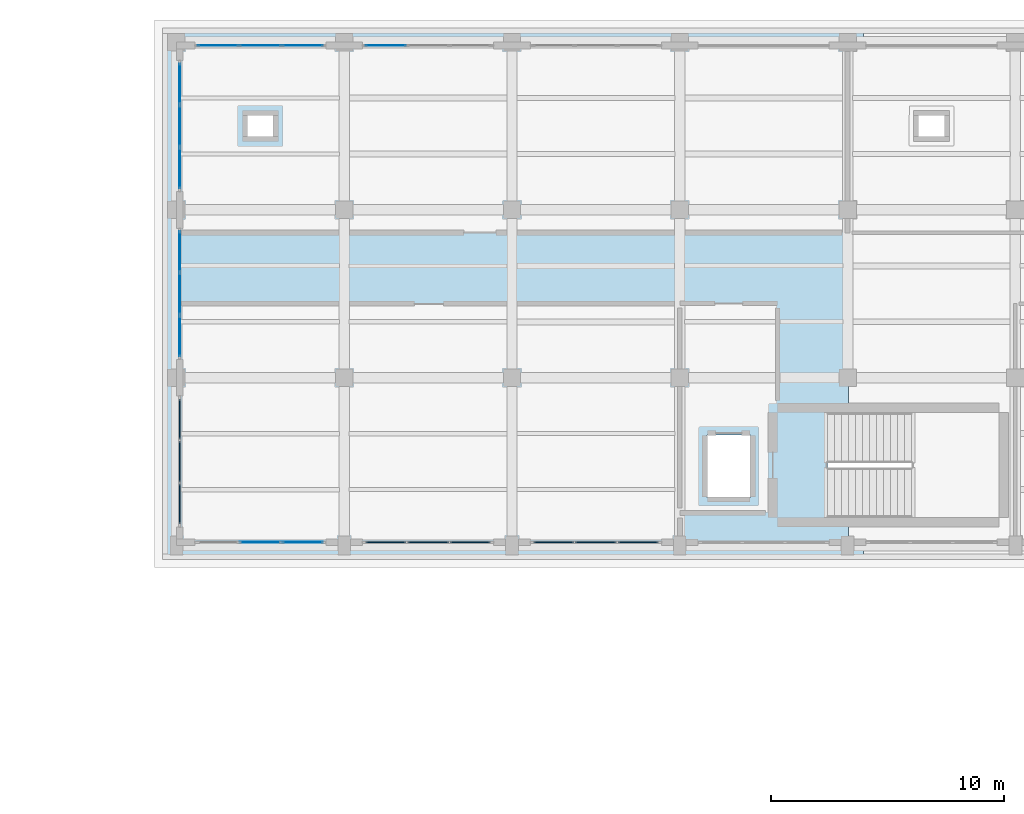
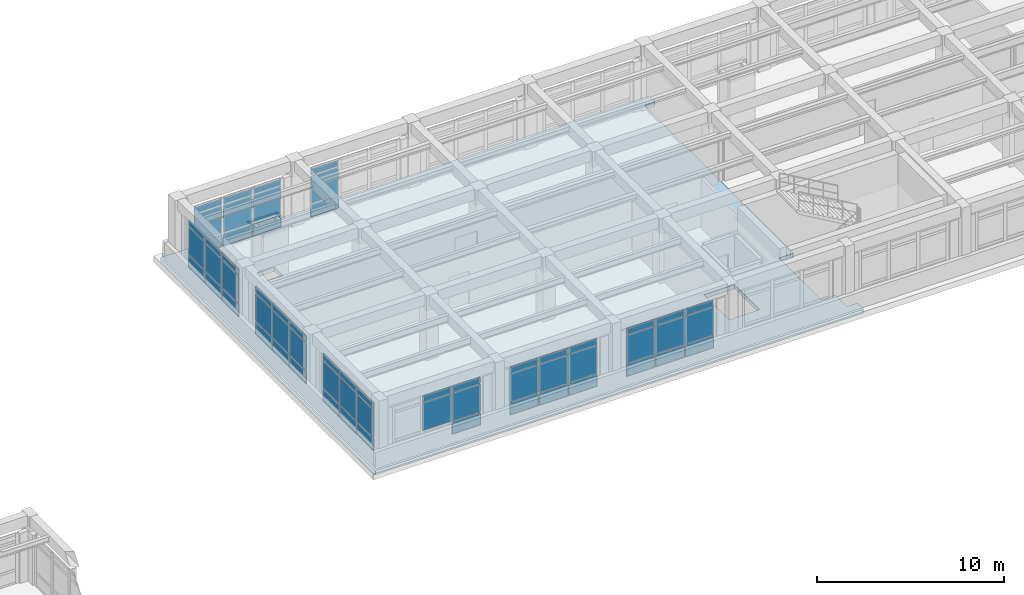
# One storey, part 42 of 67: 62 plates, 1 slab, 8 elements without a shape of their own.
"""IFC4 building model written with IfcOpenShell, lengths in metres."""

from ifc_helpers import new_model, si_unit, direction, frame, origin, origin_2d, place, context, subcontext, project, spatial, polyline, rectangle, outline, extrude, material, layer, layer_set, type_object, element, aggregate, save


model = new_model("IFC4")

# Units and contexts
model_context = context("Model", 3, precision=1e-05, world=origin(), true_north=direction((0.0, 1.0)))
body_context = subcontext(model_context, "Body", "Model", "MODEL_VIEW")
ifc_project = project(units=[si_unit("LENGTHUNIT", "METRE"), si_unit("AREAUNIT", "SQUARE_METRE"), si_unit("VOLUMEUNIT", "CUBIC_METRE"), si_unit("PLANEANGLEUNIT", "RADIAN"), si_unit("MASSUNIT", "GRAM", prefix="KILO")], contexts=[model_context])

# Site, building, storey
site_placement = place(None, origin())
site = spatial("IfcSite", under=ifc_project, at=site_placement, CompositionType="ELEMENT")
building_placement = place(site_placement, origin())
building = spatial("IfcBuilding", under=site, at=building_placement, Name="Solenvale Faculty of Natural Sciences", CompositionType="ELEMENT")
storey_placement = place(building_placement, frame((0.0, 0.0, 13.5)))
storey = spatial("IfcBuildingStorey", under=building, at=storey_placement, Name="L03", CompositionType="ELEMENT", Elevation=13.5)

# Curtain wall, plates
ifc_material_1 = material(Name="Anodised bronze aluminium", Category="aluminium")
ifc_layer_1 = layer(ifc_material_1, 0.179931640625)
ifc_layer_set_1 = layer_set([ifc_layer_1], Name="Anodised bronze aluminium")
curtain_wall_type = type_object("IfcCurtainWallType", Name="CW-TWR-MOD", PredefinedType="USERDEFINED", material=ifc_layer_set_1)
curtain_wall_1_placement = place(storey_placement, origin())
curtain_wall_1 = element("IfcCurtainWall", 1, at=curtain_wall_1_placement, inside=storey, type_object=curtain_wall_type, Name="L03 Curtain Wall CW-L03-P3-E4-B9", ObjectType="UNITISED CURTAIN WALL", PredefinedType="USERDEFINED")
ifc_material_2 = material(Name="Triple low-E insulated glass", Category="glass")
ifc_layer_2 = layer(ifc_material_2, 0.031982421875)
ifc_layer_set_2 = layer_set([ifc_layer_2], Name="Triple low-E insulated glass")
plate_type_1 = type_object("IfcPlateType", Name="CWP-PNL-32", PredefinedType="CURTAIN_PANEL", material=ifc_layer_set_2)
plate_1_placement = place(storey_placement, frame((88.185302734375, 115.0576171875, 0.074951171875), z_axis=(0.0, 0.0, 1.0), x_axis=(-1.0, 0.0, 0.0)))
plate_1 = element("IfcPlate", 2, at=plate_1_placement, type_object=plate_type_1, Name="CW-04 panel 3.1", PredefinedType="CURTAIN_PANEL", context=body_context, shape_type="SweptSolid", body=[
    extrude(rectangle(XDim=1.720947265625, YDim=0.031982421875, at=origin_2d()), origin(), (0.0, 0.0, 1.0), 0.78759765625),
])
plate_2_placement = place(storey_placement, frame((88.185302734375, 115.0576171875, 0.9375), z_axis=(0.0, 0.0, 1.0), x_axis=(-1.0, 0.0, 0.0)))
plate_2 = element("IfcPlate", 3, at=plate_2_placement, type_object=plate_type_1, Name="CW-04 panel 3.2", PredefinedType="CURTAIN_PANEL", context=body_context, shape_type="SweptSolid", body=[
    extrude(rectangle(XDim=1.720947265625, YDim=0.031982421875, at=origin_2d()), origin(), (0.0, 0.0, 1.0), 1.784912109375),
])
plate_3_placement = place(storey_placement, frame((88.185302734375, 115.0576171875, 2.79736328125), z_axis=(0.0, 0.0, 1.0), x_axis=(-1.0, 0.0, 0.0)))
plate_3 = element("IfcPlate", 4, at=plate_3_placement, type_object=plate_type_1, Name="CW-04 panel 3.3", PredefinedType="CURTAIN_PANEL", context=body_context, shape_type="SweptSolid", body=[
    extrude(rectangle(XDim=1.720947265625, YDim=0.031982421875, at=origin_2d()), origin(), (0.0, 0.0, 1.0), 0.387451171875),
])
aggregate(curtain_wall_1, [plate_1, plate_2, plate_3])

curtain_wall_2_placement = place(storey_placement, origin())
curtain_wall_2 = element("IfcCurtainWall", 5, at=curtain_wall_2_placement, inside=storey, type_object=curtain_wall_type, Name="L03 Curtain Wall CW-L03-P3-E4-B10", ObjectType="UNITISED CURTAIN WALL", PredefinedType="USERDEFINED")
ifc_layer_3 = layer(ifc_material_2, 0.035888671875)
ifc_layer_set_3 = layer_set([ifc_layer_3], Name="Triple low-E insulated glass")
plate_type_2 = type_object("IfcPlateType", Name="CWP-PNL-36", PredefinedType="CURTAIN_PANEL", material=ifc_layer_set_3)
plate_4_placement = place(storey_placement, frame((84.614501953125, 115.0576171875, 0.074951171875), z_axis=(0.0, 0.0, 1.0), x_axis=(-1.0, 0.0, 0.0)))
plate_4 = element("IfcPlate", 6, at=plate_4_placement, type_object=plate_type_2, Name="CW-04 panel 1.1", PredefinedType="CURTAIN_PANEL", context=body_context, shape_type="SweptSolid", body=[
    extrude(rectangle(XDim=1.720947265625, YDim=0.035888671875, at=origin_2d()), origin(), (0.0, 0.0, 1.0), 0.78759765625),
])
plate_5_placement = place(storey_placement, frame((84.614501953125, 115.0576171875, 0.9375), z_axis=(0.0, 0.0, 1.0), x_axis=(-1.0, 0.0, 0.0)))
plate_5 = element("IfcPlate", 7, at=plate_5_placement, type_object=plate_type_2, Name="CW-04 panel 1.2", PredefinedType="CURTAIN_PANEL", context=body_context, shape_type="SweptSolid", body=[
    extrude(rectangle(XDim=1.720947265625, YDim=0.035888671875, at=origin_2d()), origin(), (0.0, 0.0, 1.0), 1.784912109375),
])
plate_6_placement = place(storey_placement, frame((84.614501953125, 115.0576171875, 2.79736328125), z_axis=(0.0, 0.0, 1.0), x_axis=(-1.0, 0.0, 0.0)))
plate_6 = element("IfcPlate", 8, at=plate_6_placement, type_object=plate_type_2, Name="CW-04 panel 1.3", PredefinedType="CURTAIN_PANEL", context=body_context, shape_type="SweptSolid", body=[
    extrude(rectangle(XDim=1.720947265625, YDim=0.035888671875, at=origin_2d()), origin(), (0.0, 0.0, 1.0), 0.387451171875),
])
plate_7_placement = place(storey_placement, frame((82.800048828125, 115.0576171875, 0.074951171875), z_axis=(0.0, 0.0, 1.0), x_axis=(-1.0, 0.0, 0.0)))
plate_7 = element("IfcPlate", 9, at=plate_7_placement, type_object=plate_type_2, Name="CW-04 panel 2.1", PredefinedType="CURTAIN_PANEL", context=body_context, shape_type="SweptSolid", body=[
    extrude(rectangle(XDim=1.75830078125, YDim=0.035888671875, at=origin_2d()), origin(), (0.0, 0.0, 1.0), 0.78759765625),
])
plate_8_placement = place(storey_placement, frame((82.800048828125, 115.0576171875, 0.9375), z_axis=(0.0, 0.0, 1.0), x_axis=(-1.0, 0.0, 0.0)))
plate_8 = element("IfcPlate", 10, at=plate_8_placement, type_object=plate_type_2, Name="CW-04 panel 2.2", PredefinedType="CURTAIN_PANEL", context=body_context, shape_type="SweptSolid", body=[
    extrude(rectangle(XDim=1.75830078125, YDim=0.035888671875, at=origin_2d()), origin(), (0.0, 0.0, 1.0), 1.784912109375),
])
plate_9_placement = place(storey_placement, frame((82.800048828125, 115.0576171875, 2.79736328125), z_axis=(0.0, 0.0, 1.0), x_axis=(-1.0, 0.0, 0.0)))
plate_9 = element("IfcPlate", 11, at=plate_9_placement, type_object=plate_type_2, Name="CW-04 panel 2.3", PredefinedType="CURTAIN_PANEL", context=body_context, shape_type="SweptSolid", body=[
    extrude(rectangle(XDim=1.75830078125, YDim=0.035888671875, at=origin_2d()), origin(), (0.0, 0.0, 1.0), 0.387451171875),
])
plate_10_placement = place(storey_placement, frame((80.9853515625, 115.0576171875, 0.074951171875), z_axis=(0.0, 0.0, 1.0), x_axis=(-1.0, 0.0, 0.0)))
plate_10 = element("IfcPlate", 12, at=plate_10_placement, type_object=plate_type_2, Name="CW-04 panel 3.1", PredefinedType="CURTAIN_PANEL", context=body_context, shape_type="SweptSolid", body=[
    extrude(rectangle(XDim=1.720947265625, YDim=0.035888671875, at=origin_2d()), origin(), (0.0, 0.0, 1.0), 0.78759765625),
])
plate_11_placement = place(storey_placement, frame((80.9853515625, 115.0576171875, 0.9375), z_axis=(0.0, 0.0, 1.0), x_axis=(-1.0, 0.0, 0.0)))
plate_11 = element("IfcPlate", 13, at=plate_11_placement, type_object=plate_type_2, Name="CW-04 panel 3.2", PredefinedType="CURTAIN_PANEL", context=body_context, shape_type="SweptSolid", body=[
    extrude(rectangle(XDim=1.720947265625, YDim=0.035888671875, at=origin_2d()), origin(), (0.0, 0.0, 1.0), 1.784912109375),
])
plate_12_placement = place(storey_placement, frame((80.9853515625, 115.0576171875, 2.79736328125), z_axis=(0.0, 0.0, 1.0), x_axis=(-1.0, 0.0, 0.0)))
plate_12 = element("IfcPlate", 14, at=plate_12_placement, type_object=plate_type_2, Name="CW-04 panel 3.3", PredefinedType="CURTAIN_PANEL", context=body_context, shape_type="SweptSolid", body=[
    extrude(rectangle(XDim=1.720947265625, YDim=0.035888671875, at=origin_2d()), origin(), (0.0, 0.0, 1.0), 0.387451171875),
])
aggregate(curtain_wall_2, [plate_4, plate_5, plate_6, plate_7, plate_8, plate_9, plate_10, plate_11, plate_12])

curtain_wall_3_placement = place(storey_placement, origin())
curtain_wall_3 = element("IfcCurtainWall", 15, at=curtain_wall_3_placement, inside=storey, type_object=curtain_wall_type, Name="L03 Curtain Wall CW-L03-P3-E5-B1", ObjectType="UNITISED CURTAIN WALL", PredefinedType="USERDEFINED")
plate_13_placement = place(storey_placement, frame((79.342529296875, 113.41455078125, 0.074951171875), z_axis=(0.0, 0.0, 1.0), x_axis=(0.0, -1.0, 0.0)))
plate_13 = element("IfcPlate", 16, at=plate_13_placement, type_object=plate_type_2, Name="CW-04 panel 1.1", PredefinedType="CURTAIN_PANEL", context=body_context, shape_type="SweptSolid", body=[
    extrude(rectangle(XDim=1.720947265625, YDim=0.035888671875, at=origin_2d()), origin(), (0.0, 0.0, 1.0), 0.78759765625),
])
plate_14_placement = place(storey_placement, frame((79.342529296875, 113.41455078125, 0.9375), z_axis=(0.0, 0.0, 1.0), x_axis=(0.0, -1.0, 0.0)))
plate_14 = element("IfcPlate", 17, at=plate_14_placement, type_object=plate_type_2, Name="CW-04 panel 1.2", PredefinedType="CURTAIN_PANEL", context=body_context, shape_type="SweptSolid", body=[
    extrude(rectangle(XDim=1.720947265625, YDim=0.035888671875, at=origin_2d()), origin(), (0.0, 0.0, 1.0), 1.784912109375),
])
plate_15_placement = place(storey_placement, frame((79.342529296875, 113.41455078125, 2.79736328125), z_axis=(0.0, 0.0, 1.0), x_axis=(0.0, -1.0, 0.0)))
plate_15 = element("IfcPlate", 18, at=plate_15_placement, type_object=plate_type_2, Name="CW-04 panel 1.3", PredefinedType="CURTAIN_PANEL", context=body_context, shape_type="SweptSolid", body=[
    extrude(rectangle(XDim=1.720947265625, YDim=0.035888671875, at=origin_2d()), origin(), (0.0, 0.0, 1.0), 0.387451171875),
])
plate_16_placement = place(storey_placement, frame((79.342529296875, 111.60009765625, 0.074951171875), z_axis=(0.0, 0.0, 1.0), x_axis=(0.0, -1.0, 0.0)))
plate_16 = element("IfcPlate", 19, at=plate_16_placement, type_object=plate_type_2, Name="CW-04 panel 2.1", PredefinedType="CURTAIN_PANEL", context=body_context, shape_type="SweptSolid", body=[
    extrude(rectangle(XDim=1.75830078125, YDim=0.035888671875, at=origin_2d()), origin(), (0.0, 0.0, 1.0), 0.78759765625),
])
plate_17_placement = place(storey_placement, frame((79.342529296875, 111.60009765625, 0.9375), z_axis=(0.0, 0.0, 1.0), x_axis=(0.0, -1.0, 0.0)))
plate_17 = element("IfcPlate", 20, at=plate_17_placement, type_object=plate_type_2, Name="CW-04 panel 2.2", PredefinedType="CURTAIN_PANEL", context=body_context, shape_type="SweptSolid", body=[
    extrude(rectangle(XDim=1.75830078125, YDim=0.035888671875, at=origin_2d()), origin(), (0.0, 0.0, 1.0), 1.784912109375),
])
plate_18_placement = place(storey_placement, frame((79.342529296875, 111.60009765625, 2.79736328125), z_axis=(0.0, 0.0, 1.0), x_axis=(0.0, -1.0, 0.0)))
plate_18 = element("IfcPlate", 21, at=plate_18_placement, type_object=plate_type_2, Name="CW-04 panel 2.3", PredefinedType="CURTAIN_PANEL", context=body_context, shape_type="SweptSolid", body=[
    extrude(rectangle(XDim=1.75830078125, YDim=0.035888671875, at=origin_2d()), origin(), (0.0, 0.0, 1.0), 0.387451171875),
])
plate_19_placement = place(storey_placement, frame((79.342529296875, 109.785400390625, 0.074951171875), z_axis=(0.0, 0.0, 1.0), x_axis=(0.0, -1.0, 0.0)))
plate_19 = element("IfcPlate", 22, at=plate_19_placement, type_object=plate_type_2, Name="CW-04 panel 3.1", PredefinedType="CURTAIN_PANEL", context=body_context, shape_type="SweptSolid", body=[
    extrude(rectangle(XDim=1.720947265625, YDim=0.035888671875, at=origin_2d()), origin(), (0.0, 0.0, 1.0), 0.78759765625),
])
plate_20_placement = place(storey_placement, frame((79.342529296875, 109.785400390625, 0.9375), z_axis=(0.0, 0.0, 1.0), x_axis=(0.0, -1.0, 0.0)))
plate_20 = element("IfcPlate", 23, at=plate_20_placement, type_object=plate_type_2, Name="CW-04 panel 3.2", PredefinedType="CURTAIN_PANEL", context=body_context, shape_type="SweptSolid", body=[
    extrude(rectangle(XDim=1.720947265625, YDim=0.035888671875, at=origin_2d()), origin(), (0.0, 0.0, 1.0), 1.784912109375),
])
plate_21_placement = place(storey_placement, frame((79.342529296875, 109.785400390625, 2.79736328125), z_axis=(0.0, 0.0, 1.0), x_axis=(0.0, -1.0, 0.0)))
plate_21 = element("IfcPlate", 24, at=plate_21_placement, type_object=plate_type_2, Name="CW-04 panel 3.3", PredefinedType="CURTAIN_PANEL", context=body_context, shape_type="SweptSolid", body=[
    extrude(rectangle(XDim=1.720947265625, YDim=0.035888671875, at=origin_2d()), origin(), (0.0, 0.0, 1.0), 0.387451171875),
])
aggregate(curtain_wall_3, [plate_13, plate_14, plate_15, plate_16, plate_17, plate_18, plate_19, plate_20, plate_21])

curtain_wall_4_placement = place(storey_placement, origin())
curtain_wall_4 = element("IfcCurtainWall", 25, at=curtain_wall_4_placement, inside=storey, type_object=curtain_wall_type, Name="L03 Curtain Wall CW-L03-P3-E5-B2", ObjectType="UNITISED CURTAIN WALL", PredefinedType="USERDEFINED")
ifc_layer_4 = layer(ifc_material_2, 0.0400390625)
ifc_layer_set_4 = layer_set([ifc_layer_4], Name="Triple low-E insulated glass")
plate_type_3 = type_object("IfcPlateType", Name="CWP-PNL-40", PredefinedType="CURTAIN_PANEL", material=ifc_layer_set_4)
plate_22_placement = place(storey_placement, frame((79.342529296875, 106.214599609375, 0.074951171875), z_axis=(0.0, 0.0, 1.0), x_axis=(0.0, -1.0, 0.0)))
plate_22 = element("IfcPlate", 26, at=plate_22_placement, type_object=plate_type_3, Name="CW-04 panel 1.1", PredefinedType="CURTAIN_PANEL", context=body_context, shape_type="SweptSolid", body=[
    extrude(rectangle(XDim=1.720947265625, YDim=0.0400390625, at=origin_2d()), origin(), (0.0, 0.0, 1.0), 0.78759765625),
])
plate_23_placement = place(storey_placement, frame((79.342529296875, 106.214599609375, 0.9375), z_axis=(0.0, 0.0, 1.0), x_axis=(0.0, -1.0, 0.0)))
plate_23 = element("IfcPlate", 27, at=plate_23_placement, type_object=plate_type_3, Name="CW-04 panel 1.2", PredefinedType="CURTAIN_PANEL", context=body_context, shape_type="SweptSolid", body=[
    extrude(rectangle(XDim=1.720947265625, YDim=0.0400390625, at=origin_2d()), origin(), (0.0, 0.0, 1.0), 1.784912109375),
])
plate_24_placement = place(storey_placement, frame((79.342529296875, 106.214599609375, 2.79736328125), z_axis=(0.0, 0.0, 1.0), x_axis=(0.0, -1.0, 0.0)))
plate_24 = element("IfcPlate", 28, at=plate_24_placement, type_object=plate_type_3, Name="CW-04 panel 1.3", PredefinedType="CURTAIN_PANEL", context=body_context, shape_type="SweptSolid", body=[
    extrude(rectangle(XDim=1.720947265625, YDim=0.0400390625, at=origin_2d()), origin(), (0.0, 0.0, 1.0), 0.387451171875),
])
plate_25_placement = place(storey_placement, frame((79.342529296875, 104.39990234375, 0.074951171875), z_axis=(0.0, 0.0, 1.0), x_axis=(0.0, -1.0, 0.0)))
plate_25 = element("IfcPlate", 29, at=plate_25_placement, type_object=plate_type_3, Name="CW-04 panel 2.1", PredefinedType="CURTAIN_PANEL", context=body_context, shape_type="SweptSolid", body=[
    extrude(rectangle(XDim=1.75830078125, YDim=0.0400390625, at=origin_2d()), origin(), (0.0, 0.0, 1.0), 0.78759765625),
])
plate_26_placement = place(storey_placement, frame((79.342529296875, 104.39990234375, 0.9375), z_axis=(0.0, 0.0, 1.0), x_axis=(0.0, -1.0, 0.0)))
plate_26 = element("IfcPlate", 30, at=plate_26_placement, type_object=plate_type_3, Name="CW-04 panel 2.2", PredefinedType="CURTAIN_PANEL", context=body_context, shape_type="SweptSolid", body=[
    extrude(rectangle(XDim=1.75830078125, YDim=0.0400390625, at=origin_2d()), origin(), (0.0, 0.0, 1.0), 1.784912109375),
])
plate_27_placement = place(storey_placement, frame((79.342529296875, 104.39990234375, 2.79736328125), z_axis=(0.0, 0.0, 1.0), x_axis=(0.0, -1.0, 0.0)))
plate_27 = element("IfcPlate", 31, at=plate_27_placement, type_object=plate_type_3, Name="CW-04 panel 2.3", PredefinedType="CURTAIN_PANEL", context=body_context, shape_type="SweptSolid", body=[
    extrude(rectangle(XDim=1.75830078125, YDim=0.0400390625, at=origin_2d()), origin(), (0.0, 0.0, 1.0), 0.387451171875),
])
plate_28_placement = place(storey_placement, frame((79.342529296875, 102.58544921875, 0.074951171875), z_axis=(0.0, 0.0, 1.0), x_axis=(0.0, -1.0, 0.0)))
plate_28 = element("IfcPlate", 32, at=plate_28_placement, type_object=plate_type_3, Name="CW-04 panel 3.1", PredefinedType="CURTAIN_PANEL", context=body_context, shape_type="SweptSolid", body=[
    extrude(rectangle(XDim=1.720947265625, YDim=0.0400390625, at=origin_2d()), origin(), (0.0, 0.0, 1.0), 0.78759765625),
])
plate_29_placement = place(storey_placement, frame((79.342529296875, 102.58544921875, 0.9375), z_axis=(0.0, 0.0, 1.0), x_axis=(0.0, -1.0, 0.0)))
plate_29 = element("IfcPlate", 33, at=plate_29_placement, type_object=plate_type_3, Name="CW-04 panel 3.2", PredefinedType="CURTAIN_PANEL", context=body_context, shape_type="SweptSolid", body=[
    extrude(rectangle(XDim=1.720947265625, YDim=0.0400390625, at=origin_2d()), origin(), (0.0, 0.0, 1.0), 1.784912109375),
])
plate_30_placement = place(storey_placement, frame((79.342529296875, 102.58544921875, 2.79736328125), z_axis=(0.0, 0.0, 1.0), x_axis=(0.0, -1.0, 0.0)))
plate_30 = element("IfcPlate", 34, at=plate_30_placement, type_object=plate_type_3, Name="CW-04 panel 3.3", PredefinedType="CURTAIN_PANEL", context=body_context, shape_type="SweptSolid", body=[
    extrude(rectangle(XDim=1.720947265625, YDim=0.0400390625, at=origin_2d()), origin(), (0.0, 0.0, 1.0), 0.387451171875),
])
aggregate(curtain_wall_4, [plate_22, plate_23, plate_24, plate_25, plate_26, plate_27, plate_28, plate_29, plate_30])

curtain_wall_5_placement = place(storey_placement, origin())
curtain_wall_5 = element("IfcCurtainWall", 35, at=curtain_wall_5_placement, inside=storey, type_object=curtain_wall_type, Name="L03 Curtain Wall CW-L03-P3-E6-B1", ObjectType="UNITISED CURTAIN WALL", PredefinedType="USERDEFINED")
plate_31_placement = place(storey_placement, frame((82.800048828125, 93.742431640625, 0.9375), z_axis=(0.0, 0.0, 1.0), x_axis=(1.0, 0.0, 0.0)))
plate_31 = element("IfcPlate", 36, at=plate_31_placement, type_object=plate_type_3, Name="CW-04 panel 2.2", PredefinedType="CURTAIN_PANEL", context=body_context, shape_type="SweptSolid", body=[
    extrude(rectangle(XDim=1.75830078125, YDim=0.0400390625, at=origin_2d()), origin(), (0.0, 0.0, 1.0), 1.784912109375),
])
plate_32_placement = place(storey_placement, frame((82.800048828125, 93.742431640625, 2.79736328125), z_axis=(0.0, 0.0, 1.0), x_axis=(1.0, 0.0, 0.0)))
plate_32 = element("IfcPlate", 37, at=plate_32_placement, type_object=plate_type_3, Name="CW-04 panel 2.3", PredefinedType="CURTAIN_PANEL", context=body_context, shape_type="SweptSolid", body=[
    extrude(rectangle(XDim=1.75830078125, YDim=0.0400390625, at=origin_2d()), origin(), (0.0, 0.0, 1.0), 0.387451171875),
])
plate_33_placement = place(storey_placement, frame((84.614501953125, 93.742431640625, 0.074951171875), z_axis=(0.0, 0.0, 1.0), x_axis=(1.0, 0.0, 0.0)))
plate_33 = element("IfcPlate", 38, at=plate_33_placement, type_object=plate_type_3, Name="CW-04 panel 3.1", PredefinedType="CURTAIN_PANEL", context=body_context, shape_type="SweptSolid", body=[
    extrude(rectangle(XDim=1.720947265625, YDim=0.0400390625, at=origin_2d()), origin(), (0.0, 0.0, 1.0), 0.78759765625),
])
plate_34_placement = place(storey_placement, frame((84.614501953125, 93.742431640625, 0.9375), z_axis=(0.0, 0.0, 1.0), x_axis=(1.0, 0.0, 0.0)))
plate_34 = element("IfcPlate", 39, at=plate_34_placement, type_object=plate_type_3, Name="CW-04 panel 3.2", PredefinedType="CURTAIN_PANEL", context=body_context, shape_type="SweptSolid", body=[
    extrude(rectangle(XDim=1.720947265625, YDim=0.0400390625, at=origin_2d()), origin(), (0.0, 0.0, 1.0), 1.784912109375),
])
plate_35_placement = place(storey_placement, frame((84.614501953125, 93.742431640625, 2.79736328125), z_axis=(0.0, 0.0, 1.0), x_axis=(1.0, 0.0, 0.0)))
plate_35 = element("IfcPlate", 40, at=plate_35_placement, type_object=plate_type_3, Name="CW-04 panel 3.3", PredefinedType="CURTAIN_PANEL", context=body_context, shape_type="SweptSolid", body=[
    extrude(rectangle(XDim=1.720947265625, YDim=0.0400390625, at=origin_2d()), origin(), (0.0, 0.0, 1.0), 0.387451171875),
])
aggregate(curtain_wall_5, [plate_31, plate_32, plate_33, plate_34, plate_35])

curtain_wall_6_placement = place(storey_placement, origin())
curtain_wall_6 = element("IfcCurtainWall", 41, at=curtain_wall_6_placement, inside=storey, type_object=curtain_wall_type, Name="L03 Curtain Wall CW-L03-P3-E5-B3", ObjectType="UNITISED CURTAIN WALL", PredefinedType="USERDEFINED")
ifc_layer_5 = layer(ifc_material_2, 0.0439453125)
ifc_layer_set_5 = layer_set([ifc_layer_5], Name="Triple low-E insulated glass")
plate_type_4 = type_object("IfcPlateType", Name="CWP-PNL-44", PredefinedType="CURTAIN_PANEL", material=ifc_layer_set_5)
plate_36_placement = place(storey_placement, frame((79.342529296875, 99.0146484375, 0.074951171875), z_axis=(0.0, 0.0, 1.0), x_axis=(0.0, -1.0, 0.0)))
plate_36 = element("IfcPlate", 42, at=plate_36_placement, type_object=plate_type_4, Name="CW-04 panel 1.1", PredefinedType="CURTAIN_PANEL", context=body_context, shape_type="SweptSolid", body=[
    extrude(rectangle(XDim=1.720947265625, YDim=0.0439453125, at=origin_2d()), origin(), (0.0, 0.0, 1.0), 0.78759765625),
])
plate_37_placement = place(storey_placement, frame((79.342529296875, 99.0146484375, 0.9375), z_axis=(0.0, 0.0, 1.0), x_axis=(0.0, -1.0, 0.0)))
plate_37 = element("IfcPlate", 43, at=plate_37_placement, type_object=plate_type_4, Name="CW-04 panel 1.2", PredefinedType="CURTAIN_PANEL", context=body_context, shape_type="SweptSolid", body=[
    extrude(rectangle(XDim=1.720947265625, YDim=0.0439453125, at=origin_2d()), origin(), (0.0, 0.0, 1.0), 1.784912109375),
])
plate_38_placement = place(storey_placement, frame((79.342529296875, 99.0146484375, 2.79736328125), z_axis=(0.0, 0.0, 1.0), x_axis=(0.0, -1.0, 0.0)))
plate_38 = element("IfcPlate", 44, at=plate_38_placement, type_object=plate_type_4, Name="CW-04 panel 1.3", PredefinedType="CURTAIN_PANEL", context=body_context, shape_type="SweptSolid", body=[
    extrude(rectangle(XDim=1.720947265625, YDim=0.0439453125, at=origin_2d()), origin(), (0.0, 0.0, 1.0), 0.387451171875),
])
plate_39_placement = place(storey_placement, frame((79.342529296875, 97.199951171875, 0.074951171875), z_axis=(0.0, 0.0, 1.0), x_axis=(0.0, -1.0, 0.0)))
plate_39 = element("IfcPlate", 45, at=plate_39_placement, type_object=plate_type_4, Name="CW-04 panel 2.1", PredefinedType="CURTAIN_PANEL", context=body_context, shape_type="SweptSolid", body=[
    extrude(rectangle(XDim=1.75830078125, YDim=0.0439453125, at=origin_2d()), origin(), (0.0, 0.0, 1.0), 0.78759765625),
])
plate_40_placement = place(storey_placement, frame((79.342529296875, 97.199951171875, 0.9375), z_axis=(0.0, 0.0, 1.0), x_axis=(0.0, -1.0, 0.0)))
plate_40 = element("IfcPlate", 46, at=plate_40_placement, type_object=plate_type_4, Name="CW-04 panel 2.2", PredefinedType="CURTAIN_PANEL", context=body_context, shape_type="SweptSolid", body=[
    extrude(rectangle(XDim=1.75830078125, YDim=0.0439453125, at=origin_2d()), origin(), (0.0, 0.0, 1.0), 1.784912109375),
])
plate_41_placement = place(storey_placement, frame((79.342529296875, 97.199951171875, 2.79736328125), z_axis=(0.0, 0.0, 1.0), x_axis=(0.0, -1.0, 0.0)))
plate_41 = element("IfcPlate", 47, at=plate_41_placement, type_object=plate_type_4, Name="CW-04 panel 2.3", PredefinedType="CURTAIN_PANEL", context=body_context, shape_type="SweptSolid", body=[
    extrude(rectangle(XDim=1.75830078125, YDim=0.0439453125, at=origin_2d()), origin(), (0.0, 0.0, 1.0), 0.387451171875),
])
plate_42_placement = place(storey_placement, frame((79.342529296875, 95.385498046875, 0.074951171875), z_axis=(0.0, 0.0, 1.0), x_axis=(0.0, -1.0, 0.0)))
plate_42 = element("IfcPlate", 48, at=plate_42_placement, type_object=plate_type_4, Name="CW-04 panel 3.1", PredefinedType="CURTAIN_PANEL", context=body_context, shape_type="SweptSolid", body=[
    extrude(rectangle(XDim=1.720947265625, YDim=0.0439453125, at=origin_2d()), origin(), (0.0, 0.0, 1.0), 0.78759765625),
])
plate_43_placement = place(storey_placement, frame((79.342529296875, 95.385498046875, 0.9375), z_axis=(0.0, 0.0, 1.0), x_axis=(0.0, -1.0, 0.0)))
plate_43 = element("IfcPlate", 49, at=plate_43_placement, type_object=plate_type_4, Name="CW-04 panel 3.2", PredefinedType="CURTAIN_PANEL", context=body_context, shape_type="SweptSolid", body=[
    extrude(rectangle(XDim=1.720947265625, YDim=0.0439453125, at=origin_2d()), origin(), (0.0, 0.0, 1.0), 1.784912109375),
])
plate_44_placement = place(storey_placement, frame((79.342529296875, 95.385498046875, 2.79736328125), z_axis=(0.0, 0.0, 1.0), x_axis=(0.0, -1.0, 0.0)))
plate_44 = element("IfcPlate", 50, at=plate_44_placement, type_object=plate_type_4, Name="CW-04 panel 3.3", PredefinedType="CURTAIN_PANEL", context=body_context, shape_type="SweptSolid", body=[
    extrude(rectangle(XDim=1.720947265625, YDim=0.0439453125, at=origin_2d()), origin(), (0.0, 0.0, 1.0), 0.387451171875),
])
aggregate(curtain_wall_6, [plate_36, plate_37, plate_38, plate_39, plate_40, plate_41, plate_42, plate_43, plate_44])

curtain_wall_7_placement = place(storey_placement, origin())
curtain_wall_7 = element("IfcCurtainWall", 51, at=curtain_wall_7_placement, inside=storey, type_object=curtain_wall_type, Name="L03 Curtain Wall CW-L03-P3-E6-B2", ObjectType="UNITISED CURTAIN WALL", PredefinedType="USERDEFINED")
plate_45_placement = place(storey_placement, frame((88.185302734375, 93.742431640625, 0.074951171875), z_axis=(0.0, 0.0, 1.0), x_axis=(1.0, 0.0, 0.0)))
plate_45 = element("IfcPlate", 52, at=plate_45_placement, type_object=plate_type_4, Name="CW-04 panel 1.1", PredefinedType="CURTAIN_PANEL", context=body_context, shape_type="SweptSolid", body=[
    extrude(rectangle(XDim=1.720947265625, YDim=0.0439453125, at=origin_2d()), origin(), (0.0, 0.0, 1.0), 0.78759765625),
])
plate_46_placement = place(storey_placement, frame((88.185302734375, 93.742431640625, 0.9375), z_axis=(0.0, 0.0, 1.0), x_axis=(1.0, 0.0, 0.0)))
plate_46 = element("IfcPlate", 53, at=plate_46_placement, type_object=plate_type_4, Name="CW-04 panel 1.2", PredefinedType="CURTAIN_PANEL", context=body_context, shape_type="SweptSolid", body=[
    extrude(rectangle(XDim=1.720947265625, YDim=0.0439453125, at=origin_2d()), origin(), (0.0, 0.0, 1.0), 1.784912109375),
])
plate_47_placement = place(storey_placement, frame((88.185302734375, 93.742431640625, 2.79736328125), z_axis=(0.0, 0.0, 1.0), x_axis=(1.0, 0.0, 0.0)))
plate_47 = element("IfcPlate", 54, at=plate_47_placement, type_object=plate_type_4, Name="CW-04 panel 1.3", PredefinedType="CURTAIN_PANEL", context=body_context, shape_type="SweptSolid", body=[
    extrude(rectangle(XDim=1.720947265625, YDim=0.0439453125, at=origin_2d()), origin(), (0.0, 0.0, 1.0), 0.387451171875),
])
plate_48_placement = place(storey_placement, frame((90.0, 93.742431640625, 0.074951171875), z_axis=(0.0, 0.0, 1.0), x_axis=(1.0, 0.0, 0.0)))
plate_48 = element("IfcPlate", 55, at=plate_48_placement, type_object=plate_type_4, Name="CW-04 panel 2.1", PredefinedType="CURTAIN_PANEL", context=body_context, shape_type="SweptSolid", body=[
    extrude(rectangle(XDim=1.75830078125, YDim=0.0439453125, at=origin_2d()), origin(), (0.0, 0.0, 1.0), 0.78759765625),
])
plate_49_placement = place(storey_placement, frame((90.0, 93.742431640625, 0.9375), z_axis=(0.0, 0.0, 1.0), x_axis=(1.0, 0.0, 0.0)))
plate_49 = element("IfcPlate", 56, at=plate_49_placement, type_object=plate_type_4, Name="CW-04 panel 2.2", PredefinedType="CURTAIN_PANEL", context=body_context, shape_type="SweptSolid", body=[
    extrude(rectangle(XDim=1.75830078125, YDim=0.0439453125, at=origin_2d()), origin(), (0.0, 0.0, 1.0), 1.784912109375),
])
plate_50_placement = place(storey_placement, frame((90.0, 93.742431640625, 2.79736328125), z_axis=(0.0, 0.0, 1.0), x_axis=(1.0, 0.0, 0.0)))
plate_50 = element("IfcPlate", 57, at=plate_50_placement, type_object=plate_type_4, Name="CW-04 panel 2.3", PredefinedType="CURTAIN_PANEL", context=body_context, shape_type="SweptSolid", body=[
    extrude(rectangle(XDim=1.75830078125, YDim=0.0439453125, at=origin_2d()), origin(), (0.0, 0.0, 1.0), 0.387451171875),
])
plate_51_placement = place(storey_placement, frame((91.814697265625, 93.742431640625, 0.074951171875), z_axis=(0.0, 0.0, 1.0), x_axis=(1.0, 0.0, 0.0)))
plate_51 = element("IfcPlate", 58, at=plate_51_placement, type_object=plate_type_4, Name="CW-04 panel 3.1", PredefinedType="CURTAIN_PANEL", context=body_context, shape_type="SweptSolid", body=[
    extrude(rectangle(XDim=1.720947265625, YDim=0.0439453125, at=origin_2d()), origin(), (0.0, 0.0, 1.0), 0.78759765625),
])
plate_52_placement = place(storey_placement, frame((91.814697265625, 93.742431640625, 0.9375), z_axis=(0.0, 0.0, 1.0), x_axis=(1.0, 0.0, 0.0)))
plate_52 = element("IfcPlate", 59, at=plate_52_placement, type_object=plate_type_4, Name="CW-04 panel 3.2", PredefinedType="CURTAIN_PANEL", context=body_context, shape_type="SweptSolid", body=[
    extrude(rectangle(XDim=1.720947265625, YDim=0.0439453125, at=origin_2d()), origin(), (0.0, 0.0, 1.0), 1.784912109375),
])
plate_53_placement = place(storey_placement, frame((91.814697265625, 93.742431640625, 2.79736328125), z_axis=(0.0, 0.0, 1.0), x_axis=(1.0, 0.0, 0.0)))
plate_53 = element("IfcPlate", 60, at=plate_53_placement, type_object=plate_type_4, Name="CW-04 panel 3.3", PredefinedType="CURTAIN_PANEL", context=body_context, shape_type="SweptSolid", body=[
    extrude(rectangle(XDim=1.720947265625, YDim=0.0439453125, at=origin_2d()), origin(), (0.0, 0.0, 1.0), 0.387451171875),
])
aggregate(curtain_wall_7, [plate_45, plate_46, plate_47, plate_48, plate_49, plate_50, plate_51, plate_52, plate_53])

curtain_wall_8_placement = place(storey_placement, origin())
curtain_wall_8 = element("IfcCurtainWall", 61, at=curtain_wall_8_placement, inside=storey, type_object=curtain_wall_type, Name="L03 Curtain Wall CW-L03-P3-E6-B3", ObjectType="UNITISED CURTAIN WALL", PredefinedType="USERDEFINED")
ifc_layer_6 = layer(ifc_material_1, 0.048095703125)
ifc_layer_set_6 = layer_set([ifc_layer_6], Name="Anodised bronze aluminium")
plate_type_5 = type_object("IfcPlateType", Name="CWP-PNL-48", PredefinedType="CURTAIN_PANEL", material=ifc_layer_set_6)
plate_54_placement = place(storey_placement, frame((95.385498046875, 93.742431640625, 0.074951171875), z_axis=(0.0, 0.0, 1.0), x_axis=(1.0, 0.0, 0.0)))
plate_54 = element("IfcPlate", 62, at=plate_54_placement, type_object=plate_type_5, Name="CW-04 panel 1.1", PredefinedType="CURTAIN_PANEL", context=body_context, shape_type="SweptSolid", body=[
    extrude(rectangle(XDim=1.720947265625, YDim=0.048095703125, at=origin_2d()), origin(), (0.0, 0.0, 1.0), 0.78759765625),
])
plate_55_placement = place(storey_placement, frame((95.385498046875, 93.742431640625, 0.9375), z_axis=(0.0, 0.0, 1.0), x_axis=(1.0, 0.0, 0.0)))
plate_55 = element("IfcPlate", 63, at=plate_55_placement, type_object=plate_type_5, Name="CW-04 panel 1.2", PredefinedType="CURTAIN_PANEL", context=body_context, shape_type="SweptSolid", body=[
    extrude(rectangle(XDim=1.720947265625, YDim=0.048095703125, at=origin_2d()), origin(), (0.0, 0.0, 1.0), 1.784912109375),
])
plate_56_placement = place(storey_placement, frame((95.385498046875, 93.742431640625, 2.79736328125), z_axis=(0.0, 0.0, 1.0), x_axis=(1.0, 0.0, 0.0)))
plate_56 = element("IfcPlate", 64, at=plate_56_placement, type_object=plate_type_5, Name="CW-04 panel 1.3", PredefinedType="CURTAIN_PANEL", context=body_context, shape_type="SweptSolid", body=[
    extrude(rectangle(XDim=1.720947265625, YDim=0.048095703125, at=origin_2d()), origin(), (0.0, 0.0, 1.0), 0.387451171875),
])
plate_57_placement = place(storey_placement, frame((97.199951171875, 93.742431640625, 0.074951171875), z_axis=(0.0, 0.0, 1.0), x_axis=(1.0, 0.0, 0.0)))
plate_57 = element("IfcPlate", 65, at=plate_57_placement, type_object=plate_type_5, Name="CW-04 panel 2.1", PredefinedType="CURTAIN_PANEL", context=body_context, shape_type="SweptSolid", body=[
    extrude(rectangle(XDim=1.75830078125, YDim=0.048095703125, at=origin_2d()), origin(), (0.0, 0.0, 1.0), 0.78759765625),
])
plate_58_placement = place(storey_placement, frame((97.199951171875, 93.742431640625, 0.9375), z_axis=(0.0, 0.0, 1.0), x_axis=(1.0, 0.0, 0.0)))
plate_58 = element("IfcPlate", 66, at=plate_58_placement, type_object=plate_type_5, Name="CW-04 panel 2.2", PredefinedType="CURTAIN_PANEL", context=body_context, shape_type="SweptSolid", body=[
    extrude(rectangle(XDim=1.75830078125, YDim=0.048095703125, at=origin_2d()), origin(), (0.0, 0.0, 1.0), 1.784912109375),
])
plate_59_placement = place(storey_placement, frame((97.199951171875, 93.742431640625, 2.79736328125), z_axis=(0.0, 0.0, 1.0), x_axis=(1.0, 0.0, 0.0)))
plate_59 = element("IfcPlate", 67, at=plate_59_placement, type_object=plate_type_5, Name="CW-04 panel 2.3", PredefinedType="CURTAIN_PANEL", context=body_context, shape_type="SweptSolid", body=[
    extrude(rectangle(XDim=1.75830078125, YDim=0.048095703125, at=origin_2d()), origin(), (0.0, 0.0, 1.0), 0.387451171875),
])
plate_60_placement = place(storey_placement, frame((99.0146484375, 93.742431640625, 0.074951171875), z_axis=(0.0, 0.0, 1.0), x_axis=(1.0, 0.0, 0.0)))
plate_60 = element("IfcPlate", 68, at=plate_60_placement, type_object=plate_type_5, Name="CW-04 panel 3.1", PredefinedType="CURTAIN_PANEL", context=body_context, shape_type="SweptSolid", body=[
    extrude(rectangle(XDim=1.720947265625, YDim=0.048095703125, at=origin_2d()), origin(), (0.0, 0.0, 1.0), 0.78759765625),
])
plate_61_placement = place(storey_placement, frame((99.0146484375, 93.742431640625, 0.9375), z_axis=(0.0, 0.0, 1.0), x_axis=(1.0, 0.0, 0.0)))
plate_61 = element("IfcPlate", 69, at=plate_61_placement, type_object=plate_type_5, Name="CW-04 panel 3.2", PredefinedType="CURTAIN_PANEL", context=body_context, shape_type="SweptSolid", body=[
    extrude(rectangle(XDim=1.720947265625, YDim=0.048095703125, at=origin_2d()), origin(), (0.0, 0.0, 1.0), 1.784912109375),
])
plate_62_placement = place(storey_placement, frame((99.0146484375, 93.742431640625, 2.79736328125), z_axis=(0.0, 0.0, 1.0), x_axis=(1.0, 0.0, 0.0)))
plate_62 = element("IfcPlate", 70, at=plate_62_placement, type_object=plate_type_5, Name="CW-04 panel 3.3", PredefinedType="CURTAIN_PANEL", context=body_context, shape_type="SweptSolid", body=[
    extrude(rectangle(XDim=1.720947265625, YDim=0.048095703125, at=origin_2d()), origin(), (0.0, 0.0, 1.0), 0.387451171875),
])
aggregate(curtain_wall_8, [plate_54, plate_55, plate_56, plate_57, plate_58, plate_59, plate_60, plate_61, plate_62])

# Slab
ifc_material_3 = material(Name="Concrete 40 MPa", Category="concrete")
ifc_layer_7 = layer(ifc_material_3, 0.280029296875)
ifc_layer_set_7 = layer_set([ifc_layer_7], Name="Concrete 40 MPa")
slab_type = type_object("IfcSlabType", Name="SL-FLR-280", PredefinedType="FLOOR", material=ifc_layer_set_7)
slab_placement = place(storey_placement, frame((0.0, 0.0, -0.280029296875)))
element("IfcSlab", 71, at=slab_placement, inside=storey, type_object=slab_type, Name="L03 V5 Floor Slab 1.1", PredefinedType="FLOOR", context=body_context, shape_type="SweptSolid", body=[
    extrude(outline(polyline([(107.139892578125, 94.800048828125), (108.0048828125, 94.800048828125), (108.0244140625, 94.791015625), (108.030029296875, 94.77490234375), (108.031005859375, 93.593505859375), (108.0498046875, 93.580078125), (108.655029296875, 93.580078125), (108.672607421875, 93.57275390625), (108.679931640625, 93.554931640625), (108.679931640625, 92.945068359375), (108.6708984375, 92.92578125), (108.655029296875, 92.919921875), (78.531005859375, 92.92431640625), (78.52001953125, 92.945068359375), (78.524169921875, 115.868896484375), (78.544921875, 115.8798828125), (108.6689453125, 115.875732421875), (108.679931640625, 115.85498046875), (108.679931640625, 115.2451171875), (108.672607421875, 115.227294921875), (108.655029296875, 115.219970703125), (108.0498046875, 115.219970703125), (108.036376953125, 115.214599609375), (108.030029296875, 115.201416015625), (108.030029296875, 99.324951171875), (108.022705078125, 99.307373046875), (108.0048828125, 99.300048828125), (107.139892578125, 99.300048828125), (107.139892578125, 94.800048828125)]), holes=[polyline([(101.9599609375, 95.659912109375), (103.840087890625, 95.659912109375), (103.840087890625, 98.340087890625), (101.9599609375, 98.340087890625), (101.9599609375, 95.659912109375)]), polyline([(82.25, 111.14990234375), (83.35009765625, 111.14990234375), (83.35009765625, 112.050048828125), (82.25, 112.050048828125), (82.25, 111.14990234375)])]), origin(), (0.0, 0.0, 1.0), 0.280029296875),
])

save(model, "model.ifc")
